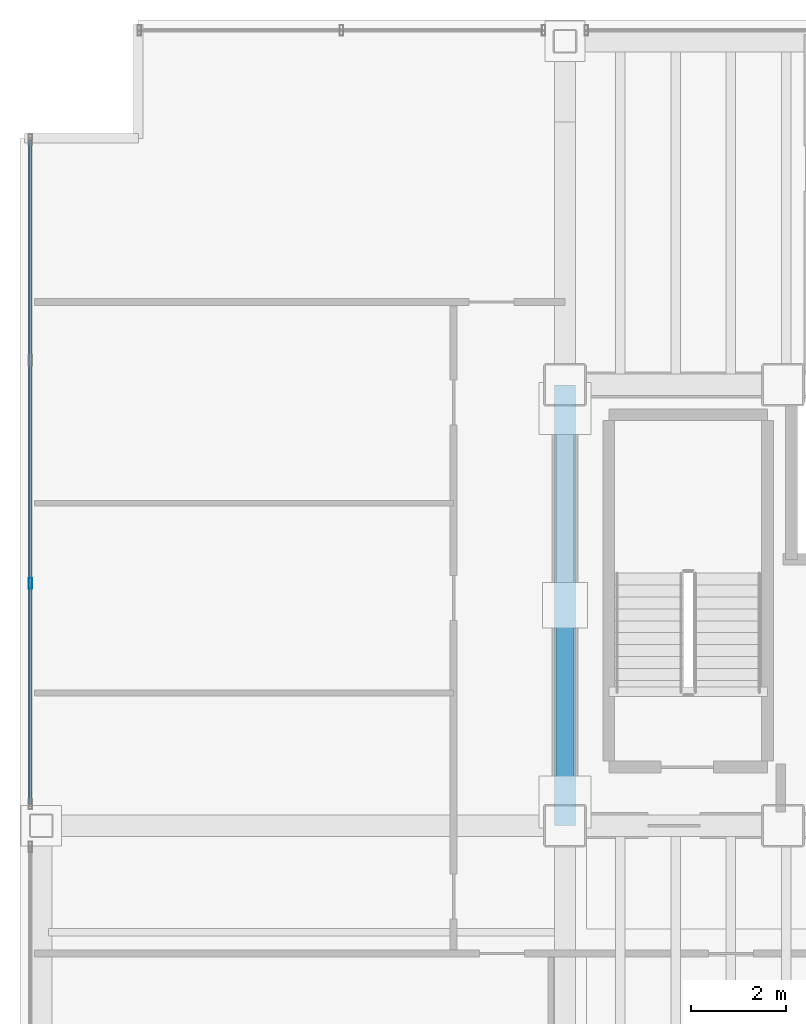
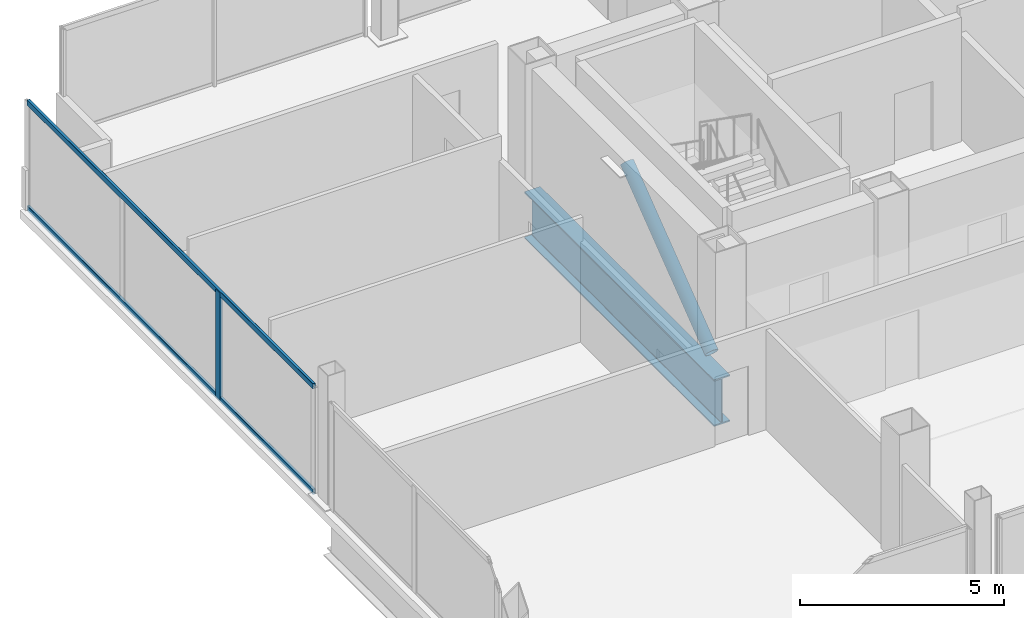
# One storey, part 8 of 24: 4 members, 1 beam, 1 element without a shape of its own.
"""IFC4 building model written with IfcOpenShell, lengths in metres."""

from ifc_helpers import new_model, si_unit, direction, frame, origin, origin_2d, place, context, subcontext, project, spatial, hollow_rectangle, hollow_circle, i_section, extrude, material, material_profile, profile_set, type_object, element, aggregate, save


model = new_model("IFC4")

# Units and contexts
model_context = context("Model", 3, precision=1e-05, world=origin(), true_north=direction((0.0, 1.0)))
body_context = subcontext(model_context, "Body", "Model", "MODEL_VIEW")
ifc_project = project(units=[si_unit("LENGTHUNIT", "METRE"), si_unit("AREAUNIT", "SQUARE_METRE"), si_unit("VOLUMEUNIT", "CUBIC_METRE"), si_unit("PLANEANGLEUNIT", "RADIAN"), si_unit("MASSUNIT", "GRAM", prefix="KILO")], contexts=[model_context])

# Site, building, storey
site_placement = place(None, origin())
site = spatial("IfcSite", under=ifc_project, at=site_placement, CompositionType="ELEMENT")
building_placement = place(site_placement, origin())
building = spatial("IfcBuilding", under=site, at=building_placement, Name="Noeulbin Bourse Tower", CompositionType="ELEMENT")
storey_placement = place(building_placement, frame((0.0, 0.0, 142.199951171875)))
storey = spatial("IfcBuildingStorey", under=building, at=storey_placement, Name="L35", CompositionType="ELEMENT", Elevation=142.199951171875)

# Beam
ifc_material_1 = material(Name="Steel S460", Category="steel")
ifc_material_profile_1 = material_profile(ifc_material_1, i_section(OverallWidth=0.449951171875, OverallDepth=1.39990234375, WebThickness=0.02392578125, FlangeThickness=0.0400390625, FilletRadius=0.02392578125, at=origin_2d()), Name="PG-1400x450x24x40", Category="LoadBearing")
ifc_profile_set_1 = profile_set([ifc_material_profile_1], Name="Steel S460")
beam_type = type_object("IfcBeamType", Name="BM-TRF-1400", PredefinedType="USERDEFINED", material=ifc_profile_set_1)
beam_placement = place(storey_placement, frame((13.5, 29.0, -0.93994140625), z_axis=(0.0, 1.0, 0.0), x_axis=(-1.0, 0.0, 0.0)))
element("IfcBeam", 1, at=beam_placement, inside=storey, type_object=beam_type, Name="Tower Primary Girder NS L35-1.3", ObjectType="GIRDER", PredefinedType="USERDEFINED", context=body_context, shape_type="SweptSolid", body=[
    extrude(i_section(OverallWidth=0.449951171875, OverallDepth=1.39990234375, WebThickness=0.02392578125, FlangeThickness=0.0400390625, FilletRadius=0.02392578125, at=origin_2d()), origin(), (0.0, 0.0, 1.0), 9.300048828125),
])

# Curtain wall, members
ifc_material_2 = material(Name="Dark Tinted Triple Glazing", Category="glass")
curtain_wall_type = type_object("IfcCurtainWallType", Name="CW-SYS-3", PredefinedType="NOTDEFINED", material=ifc_material_2)
curtain_wall_placement = place(storey_placement, origin())
curtain_wall = element("IfcCurtainWall", 2, at=curtain_wall_placement, inside=storey, type_object=curtain_wall_type, Name="Unitised Curtain Wall CW-L35-W-S2", PredefinedType="NOTDEFINED")
ifc_material_3 = material(Name="Anodised Aluminium 6063-T6", Category="aluminium")
ifc_material_profile_2 = material_profile(ifc_material_3, hollow_rectangle(XDim=0.074951171875, YDim=0.219970703125, WallThickness=0.0048828125, InnerFilletRadius=0.00244140625, OuterFilletRadius=0.0048828125, at=origin_2d()), Name="ALU-MULL-75x220x5", Category="LoadBearing")
ifc_profile_set_2 = profile_set([ifc_material_profile_2], Name="Anodised Aluminium 6063-T6")
member_type_1 = type_object("IfcMemberType", Name="CW-SYS-3-MUL", PredefinedType="MULLION", material=ifc_profile_set_2)
member_1_placement = place(storey_placement, frame((2.219970703125, 34.11328125, -0.02001953125), z_axis=(0.0, 0.0, 1.0), x_axis=(1.0, 0.0, 0.0)))
member_1 = element("IfcMember", 3, at=member_1_placement, type_object=member_type_1, Name="Curtain Wall Mullion CW-L35-W-S2-M01", PredefinedType="MULLION", context=body_context, shape_type="SweptSolid", body=[
    extrude(hollow_rectangle(XDim=0.074951171875, YDim=0.219970703125, WallThickness=0.0048828125, InnerFilletRadius=0.00244140625, OuterFilletRadius=0.0048828125, at=origin_2d()), origin(), (0.0, 0.0, 1.0), 3.219970703125),
])
ifc_material_profile_3 = material_profile(ifc_material_3, hollow_rectangle(XDim=0.074951171875, YDim=0.159912109375, WallThickness=0.0048828125, InnerFilletRadius=0.00244140625, OuterFilletRadius=0.0048828125, at=origin_2d()), Name="ALU-TRAN-75x160x5", Category="LoadBearing")
ifc_profile_set_3 = profile_set([ifc_material_profile_3], Name="Anodised Aluminium 6063-T6")
member_type_2 = type_object("IfcMemberType", Name="CW-SYS-3-TRN", PredefinedType="USERDEFINED", material=ifc_profile_set_3)
member_2_placement = place(storey_placement, frame((2.219970703125, 29.4599609375, 0.010009765625), z_axis=(0.0, 1.0, 0.0), x_axis=(-1.0, 0.0, 0.0)))
member_2 = element("IfcMember", 4, at=member_2_placement, type_object=member_type_2, Name="Curtain Wall Transom CW-L35-W-S2-T00", ObjectType="TRANSOM", PredefinedType="USERDEFINED", context=body_context, shape_type="SweptSolid", body=[
    extrude(hollow_rectangle(XDim=0.074951171875, YDim=0.159912109375, WallThickness=0.0048828125, InnerFilletRadius=0.00244140625, OuterFilletRadius=0.0048828125, at=origin_2d()), origin(), (0.0, 0.0, 1.0), 14.010009765625),
])
member_3_placement = place(storey_placement, frame((2.219970703125, 29.4599609375, 3.170166015625), z_axis=(0.0, 1.0, 0.0), x_axis=(-1.0, 0.0, 0.0)))
member_3 = element("IfcMember", 5, at=member_3_placement, type_object=member_type_2, Name="Curtain Wall Transom CW-L35-W-S2-T01", ObjectType="TRANSOM", PredefinedType="USERDEFINED", context=body_context, shape_type="SweptSolid", body=[
    extrude(hollow_rectangle(XDim=0.074951171875, YDim=0.159912109375, WallThickness=0.0048828125, InnerFilletRadius=0.00244140625, OuterFilletRadius=0.0048828125, at=origin_2d()), origin(), (0.0, 0.0, 1.0), 14.010009765625),
])
aggregate(curtain_wall, [member_1, member_2, member_3])

# Member
ifc_material_4 = material(Name="Steel S355", Category="steel")
ifc_material_profile_4 = material_profile(ifc_material_4, hollow_circle(Radius=0.177734375, WallThickness=0.0126953125, at=origin_2d()), Name="CHS-355.6x12.7", Category="LoadBearing")
ifc_profile_set_4 = profile_set([ifc_material_profile_4], Name="Steel S355")
member_type_3 = type_object("IfcMemberType", Name="MEM-EXO-356", PredefinedType="BRACE", material=ifc_profile_set_4)
member_4_placement = place(storey_placement, frame((13.5, 29.5, 0.199951171875), z_axis=(0.0, 0.794661610537, 0.607052654008), x_axis=(-1.0, 0.0, 0.0)))
element("IfcMember", 6, at=member_4_placement, inside=storey, type_object=member_type_3, Name="Core Flank Chevron Brace XT-L35-W1", PredefinedType="BRACE", context=body_context, shape_type="SweptSolid", body=[
    extrude(hollow_circle(Radius=0.177734375, WallThickness=0.0126953125, at=origin_2d()), origin(), (0.0, 0.0, 1.0), 5.22216796875),
])

save(model, "model.ifc")
